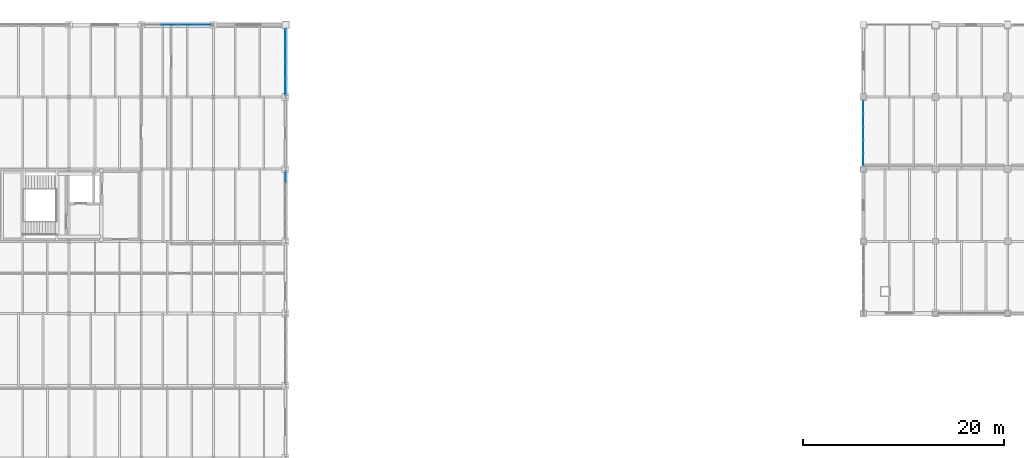
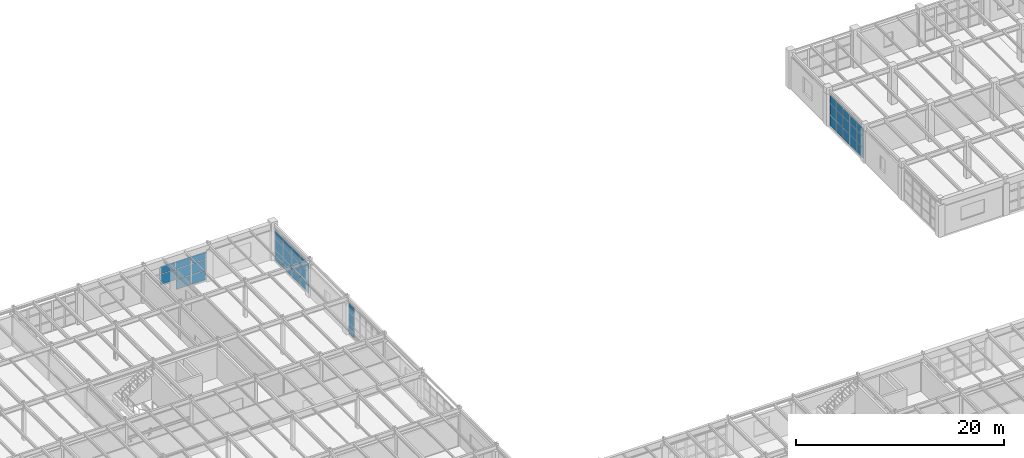
# One storey, part 115 of 137: 38 plates, 4 elements without a shape of their own.
"""IFC4 building model written with IfcOpenShell, lengths in metres."""

import ifcopenshell
import ifcopenshell.guid

model = None  # the IFC model being written
_history = None  # IfcOwnerHistory: only IFC2X3 demands one
_inside = {}  # id of a spatial element -> (the spatial element, [elements in it])
_under = {}  # id of a project, library or spatial element -> (it, [spatial elements below it])
_declared = {}  # id of a project -> (the project, [libraries it declares])
_typed = {}  # id of a type object -> (the type object, [elements of that type])
_made_of = {}  # id of a material, layer set ... -> (it, [elements and type objects made of it])


def new_model(schema):
    """Start an empty IFC model of exactly this schema.

    Asked for "IFC4X3", IfcOpenShell would pick the latest addendum, in which some entities
    have other attributes; the version numbers below select the first issue.
    IFC2X3 requires an IfcOwnerHistory on every rooted entity: one is made here for all.
    """
    global model, _history
    if schema == "IFC4X3":
        model = ifcopenshell.file(schema_version=(4, 3, 0, 0))
    else:
        model = ifcopenshell.file(schema=schema)
    _inside.clear()
    _under.clear()
    _declared.clear()
    _typed.clear()
    _made_of.clear()
    _history = None
    if model.schema == "IFC2X3":
        org = make("IfcOrganization", Name="unknown")
        user = make(
            "IfcPersonAndOrganization",
            ThePerson=make("IfcPerson", FamilyName="unknown"),
            TheOrganization=org,
        )
        app = make(
            "IfcApplication",
            ApplicationDeveloper=org,
            Version="unknown",
            ApplicationFullName="unknown",
            ApplicationIdentifier="unknown",
        )
        _history = make(
            "IfcOwnerHistory",
            OwningUser=user,
            OwningApplication=app,
            ChangeAction="ADDED",
            CreationDate=0,
        )
    return model


def make(cls, **values):
    """One entity of the class cls with the attributes given. An attribute that is None is left unset."""
    return model.create_entity(
        cls, **{name: value for name, value in values.items() if value is not None}
    )


def rooted(cls, **values):
    """An entity with a GlobalId (a new one), such as an element, a storey or a relation."""
    return make(cls, GlobalId=ifcopenshell.guid.new(), OwnerHistory=_history, **values)


def si_unit(unit_type, name, prefix=None):
    """IfcSIUnit, for example si_unit("LENGTHUNIT", "METRE", prefix="MILLI")."""
    return make("IfcSIUnit", UnitType=unit_type, Prefix=prefix, Name=name)


def assignment(units):
    """IfcUnitAssignment: the units of a project."""
    return None if units is None else make("IfcUnitAssignment", Units=units)


def point(xyz):
    """IfcCartesianPoint."""
    return None if xyz is None else make("IfcCartesianPoint", Coordinates=xyz)


def direction(xyz):
    """IfcDirection."""
    return None if xyz is None else make("IfcDirection", DirectionRatios=xyz)


def frame(location, z_axis=None, x_axis=None):
    """IfcAxis2Placement3D, a coordinate frame: its origin and axes. An axis left out is left unset."""
    return make(
        "IfcAxis2Placement3D",
        Location=point(location),
        Axis=direction(z_axis),
        RefDirection=direction(x_axis),
    )


def frame_2d(location, x_axis=None):
    """IfcAxis2Placement2D, a coordinate frame in the plane: its origin and x axis."""
    return make(
        "IfcAxis2Placement2D", Location=point(location), RefDirection=direction(x_axis)
    )


def origin():
    """The frame at (0, 0, 0) with its axes left unset."""
    return frame((0.0, 0.0, 0.0))


def origin_2d():
    """The frame at (0, 0) in the plane with its x axis left unset."""
    return frame_2d((0.0, 0.0))


def place(relative_to, where):
    """IfcLocalPlacement: puts the frame where relative to a parent placement (None: the world)."""
    return make(
        "IfcLocalPlacement", PlacementRelTo=relative_to, RelativePlacement=where
    )


def context(
    kind, dimensions, precision=None, world=None, true_north=None, identifier=None
):
    """IfcGeometricRepresentationContext, for example the 3D "Model" context."""
    return make(
        "IfcGeometricRepresentationContext",
        ContextIdentifier=identifier,
        ContextType=kind,
        CoordinateSpaceDimension=dimensions,
        Precision=precision,
        WorldCoordinateSystem=world,
        TrueNorth=true_north,
    )


def subcontext(parent, identifier, kind, view, scale=None):
    """IfcGeometricRepresentationSubContext, for example "Body" below "Model"."""
    return make(
        "IfcGeometricRepresentationSubContext",
        ContextIdentifier=identifier,
        ContextType=kind,
        ParentContext=parent,
        TargetScale=scale,
        TargetView=view,
    )


def project(units=None, contexts=None):
    """IfcProject with its units and contexts."""
    return rooted(
        "IfcProject",
        Name="project",
        RepresentationContexts=contexts,
        UnitsInContext=assignment(units),
    )


def spatial(cls, under=None, at=None, **own):
    """A site, building, storey or space (cls), placed at a placement, below another one or the project."""
    s = rooted(cls, ObjectPlacement=at, **own)
    if under is not None:
        _under.setdefault(under.id(), (under, []))[1].append(s)
    return s


def profile(cls, at=None, kind="AREA", **sizes):
    """A parametric profile (cls). Its sizes go by their IFC names, for example OverallWidth=200.0."""
    return make(cls, ProfileType=kind, Position=at, **sizes)


def rectangle(**sizes):
    """IfcRectangleProfileDef."""
    return profile("IfcRectangleProfileDef", **sizes)


def extrude(swept, where, along, depth):
    """IfcExtrudedAreaSolid: the profile swept, set in the frame where, extruded along a direction by depth."""
    return make(
        "IfcExtrudedAreaSolid",
        SweptArea=swept,
        Position=where,
        ExtrudedDirection=direction(along),
        Depth=depth,
    )


def shape(context_of_items, identifier, shape_type, items):
    """IfcShapeRepresentation: the items that make up one representation, for example the "Body"."""
    return make(
        "IfcShapeRepresentation",
        ContextOfItems=context_of_items,
        RepresentationIdentifier=identifier,
        RepresentationType=shape_type,
        Items=items,
    )


def material(Name=None, Category=None):
    """IfcMaterial."""
    return make("IfcMaterial", Name=Name, Category=Category)


def layer(
    of_material, thickness, ventilated=None, Name=None, Category=None, Priority=None
):
    """IfcMaterialLayer: one layer of a wall or slab, of a material (None: an air gap)."""
    return make(
        "IfcMaterialLayer",
        Material=of_material,
        LayerThickness=thickness,
        IsVentilated=ventilated,
        Name=Name,
        Category=Category,
        Priority=Priority,
    )


def layer_set(layers, Name=None):
    """IfcMaterialLayerSet."""
    return make("IfcMaterialLayerSet", MaterialLayers=layers, LayerSetName=Name)


def made_of(thing, what):
    """Note that an element or type object is made of a material, layer set ...; save() writes the relation."""
    if what is not None:
        _made_of.setdefault(what.id(), (what, []))[1].append(thing)
    return thing


def type_object(cls, material=None, **own):
    """A type object (cls), such as IfcWallType, which elements share."""
    return made_of(rooted(cls, **own), material)


def element(
    cls,
    number,
    at=None,
    inside=None,
    cuts=None,
    type_object=None,
    material=None,
    context=None,
    identifier="Body",
    shape_type=None,
    held_by="IfcProductDefinitionShape",
    body=None,
    shapes=None,
    **own,
):
    """One element of the class cls, such as IfcWall. Its Tag is "e" and its number.

    at: its placement. inside: the storey or other place that contains it. cuts: it is an
    opening in that element (IfcRelVoidsElement). A single representation is given by context,
    identifier, shape_type and body (its items); several are given by shapes. held_by: the class
    of the entity that holds the representations. save() writes the other relations.
    """
    e = rooted(cls, Tag="e%d" % number, ObjectPlacement=at, **own)
    if body is not None:
        shapes = [shape(context, identifier, shape_type, body)]
    if shapes is not None:
        e.Representation = make(held_by, Representations=shapes)
    if inside is not None:
        _inside.setdefault(inside.id(), (inside, []))[1].append(e)
    if cuts is not None:
        rooted(
            "IfcRelVoidsElement", RelatingBuildingElement=cuts, RelatedOpeningElement=e
        )
    if type_object is not None:
        _typed.setdefault(type_object.id(), (type_object, []))[1].append(e)
    return made_of(e, material)


def aggregate(whole, parts):
    """IfcRelAggregates: a whole, such as a stair, and the parts it consists of."""
    return rooted("IfcRelAggregates", RelatingObject=whole, RelatedObjects=parts)


def save(model, path):
    """Write the relations noted so far, then the file.

    IfcRelAggregates (storeys below a building ...), IfcRelContainedInSpatialStructure (elements
    in a storey), IfcRelDefinesByType, IfcRelAssociatesMaterial and IfcRelDeclares: one each for
    every whole, place, type object, material and project.
    """
    for whole, parts in _under.values():
        aggregate(whole, parts)
    for where, things in _inside.values():
        rooted(
            "IfcRelContainedInSpatialStructure",
            RelatedElements=things,
            RelatingStructure=where,
        )
    for kind, things in _typed.values():
        rooted("IfcRelDefinesByType", RelatedObjects=things, RelatingType=kind)
    for what, things in _made_of.values():
        rooted("IfcRelAssociatesMaterial", RelatedObjects=things, RelatingMaterial=what)
    for by, libraries in _declared.values():
        rooted("IfcRelDeclares", RelatingContext=by, RelatedDefinitions=libraries)
    model.write(path)


model = new_model("IFC4")

# Units and contexts
model_context = context("Model", 3, precision=1e-05, world=origin(), true_north=direction((0.0, 1.0)))
body_context = subcontext(model_context, "Body", "Model", "MODEL_VIEW")
ifc_project = project(units=[si_unit("LENGTHUNIT", "METRE"), si_unit("AREAUNIT", "SQUARE_METRE"), si_unit("VOLUMEUNIT", "CUBIC_METRE"), si_unit("PLANEANGLEUNIT", "RADIAN"), si_unit("MASSUNIT", "GRAM", prefix="KILO")], contexts=[model_context])

# Site, building, storey
site_placement = place(None, origin())
site = spatial("IfcSite", under=ifc_project, at=site_placement, CompositionType="ELEMENT")
building_placement = place(site_placement, origin())
building = spatial("IfcBuilding", under=site, at=building_placement, Name="Kemerveld Promenade Tramway Depot", CompositionType="ELEMENT")
storey_placement = place(building_placement, frame((0.0, 0.0, 5.39990234375)))
storey = spatial("IfcBuildingStorey", under=building, at=storey_placement, Name="L01", CompositionType="ELEMENT", Elevation=5.39990234375)

# Curtain wall, plates
ifc_material_1 = material(Name="Bronze anodised aluminium and solar glass", Category="aluminium")
ifc_layer_1 = layer(ifc_material_1, 0.199951171875)
ifc_layer_set_1 = layer_set([ifc_layer_1], Name="CW-SYS-10")
curtain_wall_type_1 = type_object("IfcCurtainWallType", Name="CW-SYS-10", PredefinedType="USERDEFINED", material=ifc_layer_set_1)
curtain_wall_1_placement = place(storey_placement, origin())
curtain_wall_1 = element("IfcCurtainWall", 1, at=curtain_wall_1_placement, inside=storey, type_object=curtain_wall_type_1, Name="CW-L01-V5N-07", ObjectType="GLAZED_CURTAIN_WALL", PredefinedType="USERDEFINED")
ifc_material_2 = material(Name="Solar-control laminated double glazing", Category="glass")
ifc_layer_2 = layer(ifc_material_2, 0.028076171875)
ifc_layer_set_2 = layer_set([ifc_layer_2], Name="CW-PNL-02")
plate_type_1 = type_object("IfcPlateType", Name="CW-PNL-02", PredefinedType="CURTAIN_PANEL", material=ifc_layer_set_2)
plate_1_placement = place(storey_placement, frame((45.94580078125, 79.199951171875, 1.236572265625), z_axis=(0.0, 0.0, 1.0), x_axis=(1.0, 0.0, 0.0)))
plate_1 = element("IfcPlate", 2, at=plate_1_placement, type_object=plate_type_1, Name="CW10 panel 2.2", PredefinedType="CURTAIN_PANEL", context=body_context, shape_type="SweptSolid", body=[
    extrude(rectangle(XDim=1.63330078125, YDim=0.028076171875, at=origin_2d()), origin(), (0.0, 0.0, 1.0), 1.2080078125),
])
plate_2_placement = place(storey_placement, frame((45.94580078125, 79.199951171875, 2.509765625), z_axis=(0.0, 0.0, 1.0), x_axis=(1.0, 0.0, 0.0)))
plate_2 = element("IfcPlate", 3, at=plate_2_placement, type_object=plate_type_1, Name="CW10 panel 2.3", PredefinedType="CURTAIN_PANEL", context=body_context, shape_type="SweptSolid", body=[
    extrude(rectangle(XDim=1.63330078125, YDim=0.028076171875, at=origin_2d()), origin(), (0.0, 0.0, 1.0), 0.865478515625),
])
plate_3_placement = place(storey_placement, frame((47.654052734375, 79.199951171875, 0.065185546875), z_axis=(0.0, 0.0, 1.0), x_axis=(1.0, 0.0, 0.0)))
plate_3 = element("IfcPlate", 4, at=plate_3_placement, type_object=plate_type_1, Name="CW10 panel 3.1", PredefinedType="CURTAIN_PANEL", context=body_context, shape_type="SweptSolid", body=[
    extrude(rectangle(XDim=1.63330078125, YDim=0.028076171875, at=origin_2d()), origin(), (0.0, 0.0, 1.0), 1.1064453125),
])
plate_4_placement = place(storey_placement, frame((47.654052734375, 79.199951171875, 1.236572265625), z_axis=(0.0, 0.0, 1.0), x_axis=(1.0, 0.0, 0.0)))
plate_4 = element("IfcPlate", 5, at=plate_4_placement, type_object=plate_type_1, Name="CW10 panel 3.2", PredefinedType="CURTAIN_PANEL", context=body_context, shape_type="SweptSolid", body=[
    extrude(rectangle(XDim=1.63330078125, YDim=0.028076171875, at=origin_2d()), origin(), (0.0, 0.0, 1.0), 1.2080078125),
])
plate_5_placement = place(storey_placement, frame((47.654052734375, 79.199951171875, 2.509765625), z_axis=(0.0, 0.0, 1.0), x_axis=(1.0, 0.0, 0.0)))
plate_5 = element("IfcPlate", 6, at=plate_5_placement, type_object=plate_type_1, Name="CW10 panel 3.3", PredefinedType="CURTAIN_PANEL", context=body_context, shape_type="SweptSolid", body=[
    extrude(rectangle(XDim=1.63330078125, YDim=0.028076171875, at=origin_2d()), origin(), (0.0, 0.0, 1.0), 0.865478515625),
])
plate_6_placement = place(storey_placement, frame((49.343505859375, 79.199951171875, 0.065185546875), z_axis=(0.0, 0.0, 1.0), x_axis=(1.0, 0.0, 0.0)))
plate_6 = element("IfcPlate", 7, at=plate_6_placement, type_object=plate_type_1, Name="CW10 panel 4.1", PredefinedType="CURTAIN_PANEL", context=body_context, shape_type="SweptSolid", body=[
    extrude(rectangle(XDim=1.595703125, YDim=0.028076171875, at=origin_2d()), origin(), (0.0, 0.0, 1.0), 1.1064453125),
])
plate_7_placement = place(storey_placement, frame((49.343505859375, 79.199951171875, 1.236572265625), z_axis=(0.0, 0.0, 1.0), x_axis=(1.0, 0.0, 0.0)))
plate_7 = element("IfcPlate", 8, at=plate_7_placement, type_object=plate_type_1, Name="CW10 panel 4.2", PredefinedType="CURTAIN_PANEL", context=body_context, shape_type="SweptSolid", body=[
    extrude(rectangle(XDim=1.595703125, YDim=0.028076171875, at=origin_2d()), origin(), (0.0, 0.0, 1.0), 1.2080078125),
])
plate_8_placement = place(storey_placement, frame((49.343505859375, 79.199951171875, 2.509765625), z_axis=(0.0, 0.0, 1.0), x_axis=(1.0, 0.0, 0.0)))
plate_8 = element("IfcPlate", 9, at=plate_8_placement, type_object=plate_type_1, Name="CW10 panel 4.3", PredefinedType="CURTAIN_PANEL", context=body_context, shape_type="SweptSolid", body=[
    extrude(rectangle(XDim=1.595703125, YDim=0.028076171875, at=origin_2d()), origin(), (0.0, 0.0, 1.0), 0.865478515625),
])
aggregate(curtain_wall_1, [plate_1, plate_2, plate_3, plate_4, plate_5, plate_6, plate_7, plate_8])

ifc_layer_3 = layer(ifc_material_1, 0.199951171875)
ifc_layer_set_3 = layer_set([ifc_layer_3], Name="CW-SYS-04")
curtain_wall_type_2 = type_object("IfcCurtainWallType", Name="CW-SYS-04", PredefinedType="USERDEFINED", material=ifc_layer_set_3)
curtain_wall_2_placement = place(storey_placement, origin())
curtain_wall_2 = element("IfcCurtainWall", 10, at=curtain_wall_2_placement, inside=storey, type_object=curtain_wall_type_2, Name="CW-L01-V5E-01", ObjectType="GLAZED_CURTAIN_WALL", PredefinedType="USERDEFINED")
ifc_layer_4 = layer(ifc_material_2, 0.031982421875)
ifc_layer_set_4 = layer_set([ifc_layer_4], Name="CW-PNL-04")
plate_type_2 = type_object("IfcPlateType", Name="CW-PNL-04", PredefinedType="CURTAIN_PANEL", material=ifc_layer_set_4)
plate_9_placement = place(storey_placement, frame((57.60009765625, 77.95849609375, 0.06494140625), z_axis=(0.0, 0.0, 1.0), x_axis=(0.0, -1.0, 0.0)))
plate_9 = element("IfcPlate", 11, at=plate_9_placement, type_object=plate_type_2, Name="CW04 panel 1.1", PredefinedType="CURTAIN_PANEL", context=body_context, shape_type="SweptSolid", body=[
    extrude(rectangle(XDim=1.54296875, YDim=0.031982421875, at=origin_2d()), origin(), (0.0, 0.0, 1.0), 1.159423828125),
])
plate_10_placement = place(storey_placement, frame((57.60009765625, 77.95849609375, 1.28955078125), z_axis=(0.0, 0.0, 1.0), x_axis=(0.0, -1.0, 0.0)))
plate_10 = element("IfcPlate", 12, at=plate_10_placement, type_object=plate_type_2, Name="CW04 panel 1.2", PredefinedType="CURTAIN_PANEL", context=body_context, shape_type="SweptSolid", body=[
    extrude(rectangle(XDim=1.54296875, YDim=0.031982421875, at=origin_2d()), origin(), (0.0, 0.0, 1.0), 1.262939453125),
])
plate_11_placement = place(storey_placement, frame((57.60009765625, 77.95849609375, 2.61767578125), z_axis=(0.0, 0.0, 1.0), x_axis=(0.0, -1.0, 0.0)))
plate_11 = element("IfcPlate", 13, at=plate_11_placement, type_object=plate_type_2, Name="CW04 panel 1.3", PredefinedType="CURTAIN_PANEL", context=body_context, shape_type="SweptSolid", body=[
    extrude(rectangle(XDim=1.54296875, YDim=0.031982421875, at=origin_2d()), origin(), (0.0, 0.0, 1.0), 0.907470703125),
])
plate_12_placement = place(storey_placement, frame((57.60009765625, 76.322021484375, 0.06494140625), z_axis=(0.0, 0.0, 1.0), x_axis=(0.0, -1.0, 0.0)))
plate_12 = element("IfcPlate", 14, at=plate_12_placement, type_object=plate_type_2, Name="CW04 panel 2.1", PredefinedType="CURTAIN_PANEL", context=body_context, shape_type="SweptSolid", body=[
    extrude(rectangle(XDim=1.580322265625, YDim=0.031982421875, at=origin_2d()), origin(), (0.0, 0.0, 1.0), 1.159423828125),
])
plate_13_placement = place(storey_placement, frame((57.60009765625, 76.322021484375, 1.28955078125), z_axis=(0.0, 0.0, 1.0), x_axis=(0.0, -1.0, 0.0)))
plate_13 = element("IfcPlate", 15, at=plate_13_placement, type_object=plate_type_2, Name="CW04 panel 2.2", PredefinedType="CURTAIN_PANEL", context=body_context, shape_type="SweptSolid", body=[
    extrude(rectangle(XDim=1.580322265625, YDim=0.031982421875, at=origin_2d()), origin(), (0.0, 0.0, 1.0), 1.262939453125),
])
plate_14_placement = place(storey_placement, frame((57.60009765625, 76.322021484375, 2.61767578125), z_axis=(0.0, 0.0, 1.0), x_axis=(0.0, -1.0, 0.0)))
plate_14 = element("IfcPlate", 16, at=plate_14_placement, type_object=plate_type_2, Name="CW04 panel 2.3", PredefinedType="CURTAIN_PANEL", context=body_context, shape_type="SweptSolid", body=[
    extrude(rectangle(XDim=1.580322265625, YDim=0.031982421875, at=origin_2d()), origin(), (0.0, 0.0, 1.0), 0.907470703125),
])
plate_15_placement = place(storey_placement, frame((57.60009765625, 74.66650390625, 0.06494140625), z_axis=(0.0, 0.0, 1.0), x_axis=(0.0, -1.0, 0.0)))
plate_15 = element("IfcPlate", 17, at=plate_15_placement, type_object=plate_type_2, Name="CW04 panel 3.1", PredefinedType="CURTAIN_PANEL", context=body_context, shape_type="SweptSolid", body=[
    extrude(rectangle(XDim=1.580322265625, YDim=0.031982421875, at=origin_2d()), origin(), (0.0, 0.0, 1.0), 1.159423828125),
])
plate_16_placement = place(storey_placement, frame((57.60009765625, 74.66650390625, 1.28955078125), z_axis=(0.0, 0.0, 1.0), x_axis=(0.0, -1.0, 0.0)))
plate_16 = element("IfcPlate", 18, at=plate_16_placement, type_object=plate_type_2, Name="CW04 panel 3.2", PredefinedType="CURTAIN_PANEL", context=body_context, shape_type="SweptSolid", body=[
    extrude(rectangle(XDim=1.580322265625, YDim=0.031982421875, at=origin_2d()), origin(), (0.0, 0.0, 1.0), 1.262939453125),
])
plate_17_placement = place(storey_placement, frame((57.60009765625, 74.66650390625, 2.61767578125), z_axis=(0.0, 0.0, 1.0), x_axis=(0.0, -1.0, 0.0)))
plate_17 = element("IfcPlate", 19, at=plate_17_placement, type_object=plate_type_2, Name="CW04 panel 3.3", PredefinedType="CURTAIN_PANEL", context=body_context, shape_type="SweptSolid", body=[
    extrude(rectangle(XDim=1.580322265625, YDim=0.031982421875, at=origin_2d()), origin(), (0.0, 0.0, 1.0), 0.907470703125),
])
plate_18_placement = place(storey_placement, frame((57.60009765625, 73.030029296875, 0.06494140625), z_axis=(0.0, 0.0, 1.0), x_axis=(0.0, -1.0, 0.0)))
plate_18 = element("IfcPlate", 20, at=plate_18_placement, type_object=plate_type_2, Name="CW04 panel 4.1", PredefinedType="CURTAIN_PANEL", context=body_context, shape_type="SweptSolid", body=[
    extrude(rectangle(XDim=1.54296875, YDim=0.031982421875, at=origin_2d()), origin(), (0.0, 0.0, 1.0), 1.159423828125),
])
plate_19_placement = place(storey_placement, frame((57.60009765625, 73.030029296875, 1.28955078125), z_axis=(0.0, 0.0, 1.0), x_axis=(0.0, -1.0, 0.0)))
plate_19 = element("IfcPlate", 21, at=plate_19_placement, type_object=plate_type_2, Name="CW04 panel 4.2", PredefinedType="CURTAIN_PANEL", context=body_context, shape_type="SweptSolid", body=[
    extrude(rectangle(XDim=1.54296875, YDim=0.031982421875, at=origin_2d()), origin(), (0.0, 0.0, 1.0), 1.262939453125),
])
plate_20_placement = place(storey_placement, frame((57.60009765625, 73.030029296875, 2.61767578125), z_axis=(0.0, 0.0, 1.0), x_axis=(0.0, -1.0, 0.0)))
plate_20 = element("IfcPlate", 22, at=plate_20_placement, type_object=plate_type_2, Name="CW04 panel 4.3", PredefinedType="CURTAIN_PANEL", context=body_context, shape_type="SweptSolid", body=[
    extrude(rectangle(XDim=1.54296875, YDim=0.031982421875, at=origin_2d()), origin(), (0.0, 0.0, 1.0), 0.907470703125),
])
aggregate(curtain_wall_2, [plate_9, plate_10, plate_11, plate_12, plate_13, plate_14, plate_15, plate_16, plate_17, plate_18, plate_19, plate_20])

ifc_layer_5 = layer(ifc_material_1, 0.199951171875)
ifc_layer_set_5 = layer_set([ifc_layer_5], Name="CW-SYS-06")
curtain_wall_type_3 = type_object("IfcCurtainWallType", Name="CW-SYS-06", PredefinedType="USERDEFINED", material=ifc_layer_set_5)
curtain_wall_3_placement = place(storey_placement, origin())
curtain_wall_3 = element("IfcCurtainWall", 23, at=curtain_wall_3_placement, inside=storey, type_object=curtain_wall_type_3, Name="CW-L01-V5E-03", ObjectType="GLAZED_CURTAIN_WALL", PredefinedType="USERDEFINED")
ifc_layer_6 = layer(ifc_material_2, 0.02587890625)
ifc_layer_set_6 = layer_set([ifc_layer_6], Name="CW-PNL-06")
plate_type_3 = type_object("IfcPlateType", Name="CW-PNL-06", PredefinedType="CURTAIN_PANEL", material=ifc_layer_set_6)
plate_21_placement = place(storey_placement, frame((57.60009765625, 64.0283203125, 0.06494140625), z_axis=(0.0, 0.0, 1.0), x_axis=(0.0, -1.0, 0.0)))
plate_21 = element("IfcPlate", 24, at=plate_21_placement, type_object=plate_type_3, Name="CW06 panel 1.1", PredefinedType="CURTAIN_PANEL", context=body_context, shape_type="SweptSolid", body=[
    extrude(rectangle(XDim=1.0263671875, YDim=0.02587890625, at=origin_2d()), origin(), (0.0, 0.0, 1.0), 1.198486328125),
])
plate_22_placement = place(storey_placement, frame((57.60009765625, 64.0283203125, 1.32861328125), z_axis=(0.0, 0.0, 1.0), x_axis=(0.0, -1.0, 0.0)))
plate_22 = element("IfcPlate", 25, at=plate_22_placement, type_object=plate_type_3, Name="CW06 panel 1.2", PredefinedType="CURTAIN_PANEL", context=body_context, shape_type="SweptSolid", body=[
    extrude(rectangle(XDim=1.0263671875, YDim=0.02587890625, at=origin_2d()), origin(), (0.0, 0.0, 1.0), 1.304931640625),
])
plate_23_placement = place(storey_placement, frame((57.60009765625, 64.0283203125, 2.698486328125), z_axis=(0.0, 0.0, 1.0), x_axis=(0.0, -1.0, 0.0)))
plate_23 = element("IfcPlate", 26, at=plate_23_placement, type_object=plate_type_3, Name="CW06 panel 1.3", PredefinedType="CURTAIN_PANEL", context=body_context, shape_type="SweptSolid", body=[
    extrude(rectangle(XDim=1.0263671875, YDim=0.02587890625, at=origin_2d()), origin(), (0.0, 0.0, 1.0), 0.93994140625),
])
aggregate(curtain_wall_3, [plate_21, plate_22, plate_23])

curtain_wall_4_placement = place(storey_placement, origin())
curtain_wall_4 = element("IfcCurtainWall", 27, at=curtain_wall_4_placement, inside=storey, type_object=curtain_wall_type_3, Name="CW-L01-V3W-03", ObjectType="GLAZED_CURTAIN_WALL", PredefinedType="USERDEFINED")
plate_24_placement = place(storey_placement, frame((115.199951171875, 65.769775390625, 0.065185546875), z_axis=(0.0, 0.0, 1.0), x_axis=(0.0, 1.0, 0.0)))
plate_24 = element("IfcPlate", 28, at=plate_24_placement, type_object=plate_type_3, Name="CW06 panel 1.1", PredefinedType="CURTAIN_PANEL", context=body_context, shape_type="SweptSolid", body=[
    extrude(rectangle(XDim=1.199462890625, YDim=0.02587890625, at=origin_2d()), origin(), (0.0, 0.0, 1.0), 1.19140625),
])
plate_25_placement = place(storey_placement, frame((115.199951171875, 65.769775390625, 1.32177734375), z_axis=(0.0, 0.0, 1.0), x_axis=(0.0, 1.0, 0.0)))
plate_25 = element("IfcPlate", 29, at=plate_25_placement, type_object=plate_type_3, Name="CW06 panel 1.2", PredefinedType="CURTAIN_PANEL", context=body_context, shape_type="SweptSolid", body=[
    extrude(rectangle(XDim=1.199462890625, YDim=0.02587890625, at=origin_2d()), origin(), (0.0, 0.0, 1.0), 1.298095703125),
])
plate_26_placement = place(storey_placement, frame((115.199951171875, 65.769775390625, 2.6845703125), z_axis=(0.0, 0.0, 1.0), x_axis=(0.0, 1.0, 0.0)))
plate_26 = element("IfcPlate", 30, at=plate_26_placement, type_object=plate_type_3, Name="CW06 panel 1.3", PredefinedType="CURTAIN_PANEL", context=body_context, shape_type="SweptSolid", body=[
    extrude(rectangle(XDim=1.199462890625, YDim=0.02587890625, at=origin_2d()), origin(), (0.0, 0.0, 1.0), 0.933837890625),
])
plate_27_placement = place(storey_placement, frame((115.199951171875, 67.06298828125, 0.065185546875), z_axis=(0.0, 0.0, 1.0), x_axis=(0.0, 1.0, 0.0)))
plate_27 = element("IfcPlate", 31, at=plate_27_placement, type_object=plate_type_3, Name="CW06 panel 2.1", PredefinedType="CURTAIN_PANEL", context=body_context, shape_type="SweptSolid", body=[
    extrude(rectangle(XDim=1.237060546875, YDim=0.02587890625, at=origin_2d()), origin(), (0.0, 0.0, 1.0), 1.19140625),
])
plate_28_placement = place(storey_placement, frame((115.199951171875, 67.06298828125, 1.32177734375), z_axis=(0.0, 0.0, 1.0), x_axis=(0.0, 1.0, 0.0)))
plate_28 = element("IfcPlate", 32, at=plate_28_placement, type_object=plate_type_3, Name="CW06 panel 2.2", PredefinedType="CURTAIN_PANEL", context=body_context, shape_type="SweptSolid", body=[
    extrude(rectangle(XDim=1.237060546875, YDim=0.02587890625, at=origin_2d()), origin(), (0.0, 0.0, 1.0), 1.298095703125),
])
plate_29_placement = place(storey_placement, frame((115.199951171875, 67.06298828125, 2.6845703125), z_axis=(0.0, 0.0, 1.0), x_axis=(0.0, 1.0, 0.0)))
plate_29 = element("IfcPlate", 33, at=plate_29_placement, type_object=plate_type_3, Name="CW06 panel 2.3", PredefinedType="CURTAIN_PANEL", context=body_context, shape_type="SweptSolid", body=[
    extrude(rectangle(XDim=1.237060546875, YDim=0.02587890625, at=origin_2d()), origin(), (0.0, 0.0, 1.0), 0.933837890625),
])
plate_30_placement = place(storey_placement, frame((115.199951171875, 68.375, 0.065185546875), z_axis=(0.0, 0.0, 1.0), x_axis=(0.0, 1.0, 0.0)))
plate_30 = element("IfcPlate", 34, at=plate_30_placement, type_object=plate_type_3, Name="CW06 panel 3.1", PredefinedType="CURTAIN_PANEL", context=body_context, shape_type="SweptSolid", body=[
    extrude(rectangle(XDim=1.237060546875, YDim=0.02587890625, at=origin_2d()), origin(), (0.0, 0.0, 1.0), 1.19140625),
])
plate_31_placement = place(storey_placement, frame((115.199951171875, 68.375, 1.32177734375), z_axis=(0.0, 0.0, 1.0), x_axis=(0.0, 1.0, 0.0)))
plate_31 = element("IfcPlate", 35, at=plate_31_placement, type_object=plate_type_3, Name="CW06 panel 3.2", PredefinedType="CURTAIN_PANEL", context=body_context, shape_type="SweptSolid", body=[
    extrude(rectangle(XDim=1.237060546875, YDim=0.02587890625, at=origin_2d()), origin(), (0.0, 0.0, 1.0), 1.298095703125),
])
plate_32_placement = place(storey_placement, frame((115.199951171875, 68.375, 2.6845703125), z_axis=(0.0, 0.0, 1.0), x_axis=(0.0, 1.0, 0.0)))
plate_32 = element("IfcPlate", 36, at=plate_32_placement, type_object=plate_type_3, Name="CW06 panel 3.3", PredefinedType="CURTAIN_PANEL", context=body_context, shape_type="SweptSolid", body=[
    extrude(rectangle(XDim=1.237060546875, YDim=0.02587890625, at=origin_2d()), origin(), (0.0, 0.0, 1.0), 0.933837890625),
])
plate_33_placement = place(storey_placement, frame((115.199951171875, 69.68701171875, 0.065185546875), z_axis=(0.0, 0.0, 1.0), x_axis=(0.0, 1.0, 0.0)))
plate_33 = element("IfcPlate", 37, at=plate_33_placement, type_object=plate_type_3, Name="CW06 panel 4.1", PredefinedType="CURTAIN_PANEL", context=body_context, shape_type="SweptSolid", body=[
    extrude(rectangle(XDim=1.237060546875, YDim=0.02587890625, at=origin_2d()), origin(), (0.0, 0.0, 1.0), 1.19140625),
])
plate_34_placement = place(storey_placement, frame((115.199951171875, 69.68701171875, 1.32177734375), z_axis=(0.0, 0.0, 1.0), x_axis=(0.0, 1.0, 0.0)))
plate_34 = element("IfcPlate", 38, at=plate_34_placement, type_object=plate_type_3, Name="CW06 panel 4.2", PredefinedType="CURTAIN_PANEL", context=body_context, shape_type="SweptSolid", body=[
    extrude(rectangle(XDim=1.237060546875, YDim=0.02587890625, at=origin_2d()), origin(), (0.0, 0.0, 1.0), 1.298095703125),
])
plate_35_placement = place(storey_placement, frame((115.199951171875, 69.68701171875, 2.6845703125), z_axis=(0.0, 0.0, 1.0), x_axis=(0.0, 1.0, 0.0)))
plate_35 = element("IfcPlate", 39, at=plate_35_placement, type_object=plate_type_3, Name="CW06 panel 4.3", PredefinedType="CURTAIN_PANEL", context=body_context, shape_type="SweptSolid", body=[
    extrude(rectangle(XDim=1.237060546875, YDim=0.02587890625, at=origin_2d()), origin(), (0.0, 0.0, 1.0), 0.933837890625),
])
plate_36_placement = place(storey_placement, frame((115.199951171875, 70.980224609375, 0.065185546875), z_axis=(0.0, 0.0, 1.0), x_axis=(0.0, 1.0, 0.0)))
plate_36 = element("IfcPlate", 40, at=plate_36_placement, type_object=plate_type_3, Name="CW06 panel 5.1", PredefinedType="CURTAIN_PANEL", context=body_context, shape_type="SweptSolid", body=[
    extrude(rectangle(XDim=1.199462890625, YDim=0.02587890625, at=origin_2d()), origin(), (0.0, 0.0, 1.0), 1.19140625),
])
plate_37_placement = place(storey_placement, frame((115.199951171875, 70.980224609375, 1.32177734375), z_axis=(0.0, 0.0, 1.0), x_axis=(0.0, 1.0, 0.0)))
plate_37 = element("IfcPlate", 41, at=plate_37_placement, type_object=plate_type_3, Name="CW06 panel 5.2", PredefinedType="CURTAIN_PANEL", context=body_context, shape_type="SweptSolid", body=[
    extrude(rectangle(XDim=1.199462890625, YDim=0.02587890625, at=origin_2d()), origin(), (0.0, 0.0, 1.0), 1.298095703125),
])
plate_38_placement = place(storey_placement, frame((115.199951171875, 70.980224609375, 2.6845703125), z_axis=(0.0, 0.0, 1.0), x_axis=(0.0, 1.0, 0.0)))
plate_38 = element("IfcPlate", 42, at=plate_38_placement, type_object=plate_type_3, Name="CW06 panel 5.3", PredefinedType="CURTAIN_PANEL", context=body_context, shape_type="SweptSolid", body=[
    extrude(rectangle(XDim=1.199462890625, YDim=0.02587890625, at=origin_2d()), origin(), (0.0, 0.0, 1.0), 0.933837890625),
])
aggregate(curtain_wall_4, [plate_24, plate_25, plate_26, plate_27, plate_28, plate_29, plate_30, plate_31, plate_32, plate_33, plate_34, plate_35, plate_36, plate_37, plate_38])

save(model, "model.ifc")
